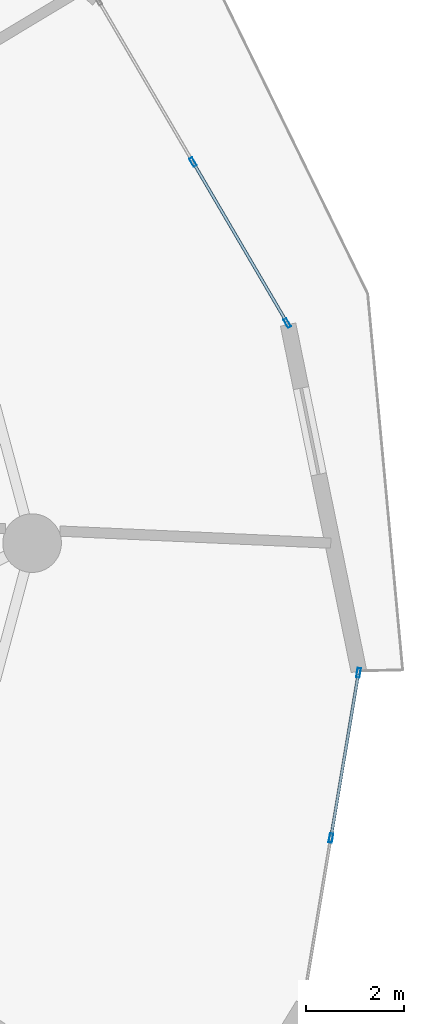
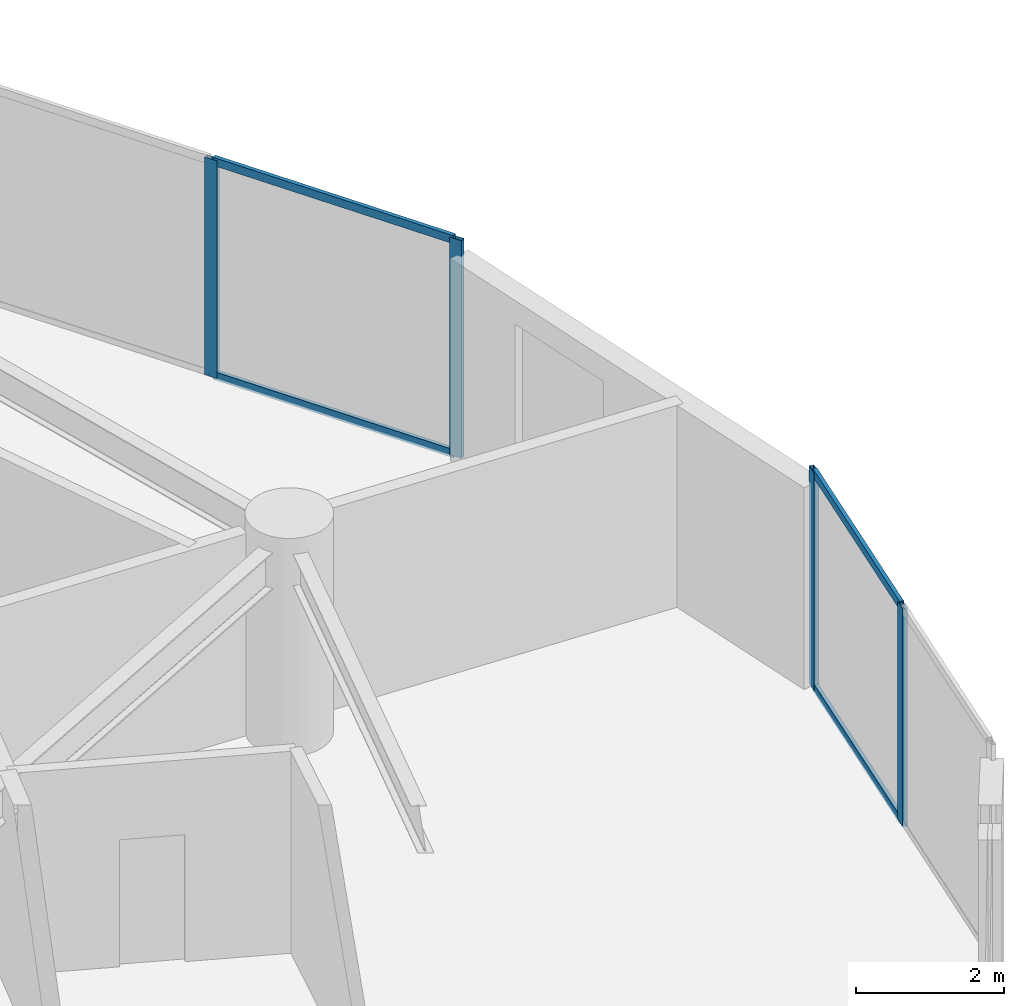
# One storey, part 10 of 23: 8 members, 2 elements without a shape of their own.
"""IFC4 building model written with IfcOpenShell, lengths in metres."""

from ifc_helpers import new_model, si_unit, direction, frame, origin, origin_2d, place, context, subcontext, project, spatial, hollow_rectangle, extrude, source, transform, mapped, material, layer, layer_set, material_profile, profile_set, type_object, element, aggregate, save


model = new_model("IFC4")

# Units and contexts
model_context = context("Model", 3, precision=1e-05, world=origin(), true_north=direction((0.0, 1.0)))
body_context = subcontext(model_context, "Body", "Model", "MODEL_VIEW")
ifc_project = project(units=[si_unit("LENGTHUNIT", "METRE"), si_unit("AREAUNIT", "SQUARE_METRE"), si_unit("VOLUMEUNIT", "CUBIC_METRE"), si_unit("PLANEANGLEUNIT", "RADIAN"), si_unit("MASSUNIT", "GRAM", prefix="KILO")], contexts=[model_context])

# Site, building, storey
site_placement = place(None, origin())
site = spatial("IfcSite", under=ifc_project, at=site_placement, CompositionType="ELEMENT")
building_placement = place(site_placement, origin())
building = spatial("IfcBuilding", under=site, at=building_placement, Name="Solvirekh Grand Hotel", CompositionType="ELEMENT")
storey_placement = place(building_placement, frame((0.0, 0.0, 75.199951171875)))
storey = spatial("IfcBuildingStorey", under=building, at=storey_placement, Name="L18", CompositionType="ELEMENT", Elevation=75.199951171875)

# Curtain wall, members
ifc_material = material(Name="Anodized Bronze Aluminium 6063-T6", Category="aluminium")
ifc_layer = layer(ifc_material, 0.18994140625)
ifc_layer_set = layer_set([ifc_layer], Name="Anodized Bronze Aluminium 6063-T6")
curtain_wall_type = type_object("IfcCurtainWallType", Name="CW_Sys2_LowZoneFlushBronzeCW", PredefinedType="NOTDEFINED", material=ifc_layer_set)
curtain_wall_1_placement = place(storey_placement, origin())
curtain_wall_1 = element("IfcCurtainWall", 1, at=curtain_wall_1_placement, inside=storey, type_object=curtain_wall_type, Name="L18 unitised bronze-glass curtain wall CW-L18-C01", PredefinedType="NOTDEFINED")
ifc_material_profile_1 = material_profile(ifc_material, hollow_rectangle(XDim=0.070068359375, YDim=0.18994140625, WallThickness=0.0048828125, at=origin_2d()), Name="ALU RHS 190X70X5")
ifc_profile_set_1 = profile_set([ifc_material_profile_1], Name="Anodized Bronze Aluminium 6063-T6")
member_type_1 = type_object("IfcMemberType", Name="CWMullion_Sys2", PredefinedType="MULLION", material=ifc_profile_set_1)
shared_shape_1 = source(origin(), body_context, "Body", "SweptSolid", [
    extrude(hollow_rectangle(XDim=0.070068359375, YDim=0.18994140625, WallThickness=0.0048828125, at=origin_2d()), origin(), (0.0, 0.0, 1.0), 3.60009765625),
])
member_1_placement = place(storey_placement, frame((24.71337890625, -6.031494140625, 0.0), z_axis=(0.0, 0.0, 1.0), x_axis=(-0.986335324386, 0.164750198387, 0.0)))
member_1 = element("IfcMember", 2, at=member_1_placement, type_object=member_type_1, Name="U02 mullion 2", PredefinedType="MULLION", context=body_context, shape_type="MappedRepresentation", body=[
    mapped(shared_shape_1, transform((0.0, 0.0, 0.0), x_axis=(1.0, 0.0, 0.0), y_axis=(0.0, 1.0, 0.0), z_axis=(0.0, 0.0, 1.0), scale=1.0)),
])
member_2_placement = place(storey_placement, frame((25.2783203125, -2.650634765625, 0.0), z_axis=(0.0, 0.0, 1.0), x_axis=(-0.986335324386, 0.164750198387, 0.0)))
member_2 = element("IfcMember", 3, at=member_2_placement, type_object=member_type_1, Name="U02 mullion 3", PredefinedType="MULLION", context=body_context, shape_type="MappedRepresentation", body=[
    mapped(shared_shape_1, transform((0.0, 0.0, 0.0), x_axis=(1.0, 0.0, 0.0), y_axis=(0.0, 1.0, 0.0), z_axis=(0.0, 0.0, 1.0), scale=1.0)),
])

curtain_wall_2_placement = place(storey_placement, origin())
curtain_wall_2 = element("IfcCurtainWall", 4, at=curtain_wall_2_placement, inside=storey, type_object=curtain_wall_type, Name="L18 unitised bronze-glass curtain wall CW-L18-C03", PredefinedType="NOTDEFINED")
member_3_placement = place(storey_placement, frame((23.8193359375, 4.501220703125, 0.0), z_axis=(0.0, 0.0, 1.0), x_axis=(-0.862996529302, -0.505209847898, 0.0)))
member_3 = element("IfcMember", 5, at=member_3_placement, type_object=member_type_1, Name="U02 mullion 1", PredefinedType="MULLION", context=body_context, shape_type="MappedRepresentation", body=[
    mapped(shared_shape_1, transform((0.0, 0.0, 0.0), x_axis=(1.0, 0.0, 0.0), y_axis=(0.0, 1.0, 0.0), z_axis=(0.0, 0.0, 1.0), scale=1.0)),
])
member_4_placement = place(storey_placement, frame((21.890380859375, 7.7958984375, 0.0), z_axis=(0.0, 0.0, 1.0), x_axis=(-0.862996529302, -0.505209847898, 0.0)))
member_4 = element("IfcMember", 6, at=member_4_placement, type_object=member_type_1, Name="U02 mullion 2", PredefinedType="MULLION", context=body_context, shape_type="MappedRepresentation", body=[
    mapped(shared_shape_1, transform((0.0, 0.0, 0.0), x_axis=(1.0, 0.0, 0.0), y_axis=(0.0, 1.0, 0.0), z_axis=(0.0, 0.0, 1.0), scale=1.0)),
])
ifc_material_profile_2 = material_profile(ifc_material, hollow_rectangle(XDim=0.06005859375, YDim=0.135009765625, WallThickness=0.00390625, at=origin_2d()), Name="ALU RHS 135X60X4")
ifc_profile_set_2 = profile_set([ifc_material_profile_2], Name="Anodized Bronze Aluminium 6063-T6")
member_type_2 = type_object("IfcMemberType", Name="CWTransom_Sys2", PredefinedType="USERDEFINED", material=ifc_profile_set_2)
shared_shape_2 = source(origin(), body_context, "Body", "SweptSolid", [
    extrude(hollow_rectangle(XDim=0.06005859375, YDim=0.135009765625, WallThickness=0.00390625, at=origin_2d()), origin(), (0.0, 0.0, 1.0), 3.747802734375),
])
member_5_placement = place(storey_placement, frame((23.801513671875, 4.531494140625, 0.030029296875), z_axis=(-0.505182751662, 0.863012391234, 0.0), x_axis=(-0.863012391234, -0.505182751662, 0.0)))
member_5 = element("IfcMember", 7, at=member_5_placement, type_object=member_type_2, Name="U02 transom 1.1", ObjectType="TRANSOM", PredefinedType="USERDEFINED", context=body_context, shape_type="MappedRepresentation", body=[
    mapped(shared_shape_2, transform((0.0, 0.0, 0.0), x_axis=(1.0, 0.0, 0.0), y_axis=(0.0, 1.0, 0.0), z_axis=(0.0, 0.0, 1.0), scale=1.0)),
])
member_6_placement = place(storey_placement, frame((23.801513671875, 4.531494140625, 3.570068359375), z_axis=(-0.505182751662, 0.863012391234, 0.0), x_axis=(-0.863012391234, -0.505182751662, 0.0)))
member_6 = element("IfcMember", 8, at=member_6_placement, type_object=member_type_2, Name="U02 transom 1.2", ObjectType="TRANSOM", PredefinedType="USERDEFINED", context=body_context, shape_type="MappedRepresentation", body=[
    mapped(shared_shape_2, transform((0.0, 0.0, 0.0), x_axis=(1.0, 0.0, 0.0), y_axis=(0.0, 1.0, 0.0), z_axis=(0.0, 0.0, 1.0), scale=1.0)),
])
aggregate(curtain_wall_2, [member_3, member_4, member_5, member_6])

# Member
shared_shape_3 = source(origin(), body_context, "Body", "SweptSolid", [
    extrude(hollow_rectangle(XDim=0.06005859375, YDim=0.135009765625, WallThickness=0.00390625, at=origin_2d()), origin(), (0.0, 0.0, 1.0), 3.35791015625),
])
member_7_placement = place(storey_placement, frame((24.71923828125, -5.9970703125, 0.030029296875), z_axis=(0.164752683506, 0.986334909287, 0.0), x_axis=(-0.986334909287, 0.164752683506, 0.0)))
member_7 = element("IfcMember", 9, at=member_7_placement, type_object=member_type_2, Name="U02 transom 2.1", ObjectType="TRANSOM", PredefinedType="USERDEFINED", context=body_context, shape_type="MappedRepresentation", body=[
    mapped(shared_shape_3, transform((0.0, 0.0, 0.0), x_axis=(1.0, 0.0, 0.0), y_axis=(0.0, 1.0, 0.0), z_axis=(0.0, 0.0, 1.0), scale=1.0)),
])

member_8_placement = place(storey_placement, frame((24.71923828125, -5.9970703125, 3.570068359375), z_axis=(0.164752683506, 0.986334909287, 0.0), x_axis=(-0.986334909287, 0.164752683506, 0.0)))
member_8 = element("IfcMember", 10, at=member_8_placement, type_object=member_type_2, Name="U02 transom 2.2", ObjectType="TRANSOM", PredefinedType="USERDEFINED", context=body_context, shape_type="MappedRepresentation", body=[
    mapped(shared_shape_3, transform((0.0, 0.0, 0.0), x_axis=(1.0, 0.0, 0.0), y_axis=(0.0, 1.0, 0.0), z_axis=(0.0, 0.0, 1.0), scale=1.0)),
])

aggregate(curtain_wall_1, [member_1, member_2, member_7, member_8])

save(model, "model.ifc")
